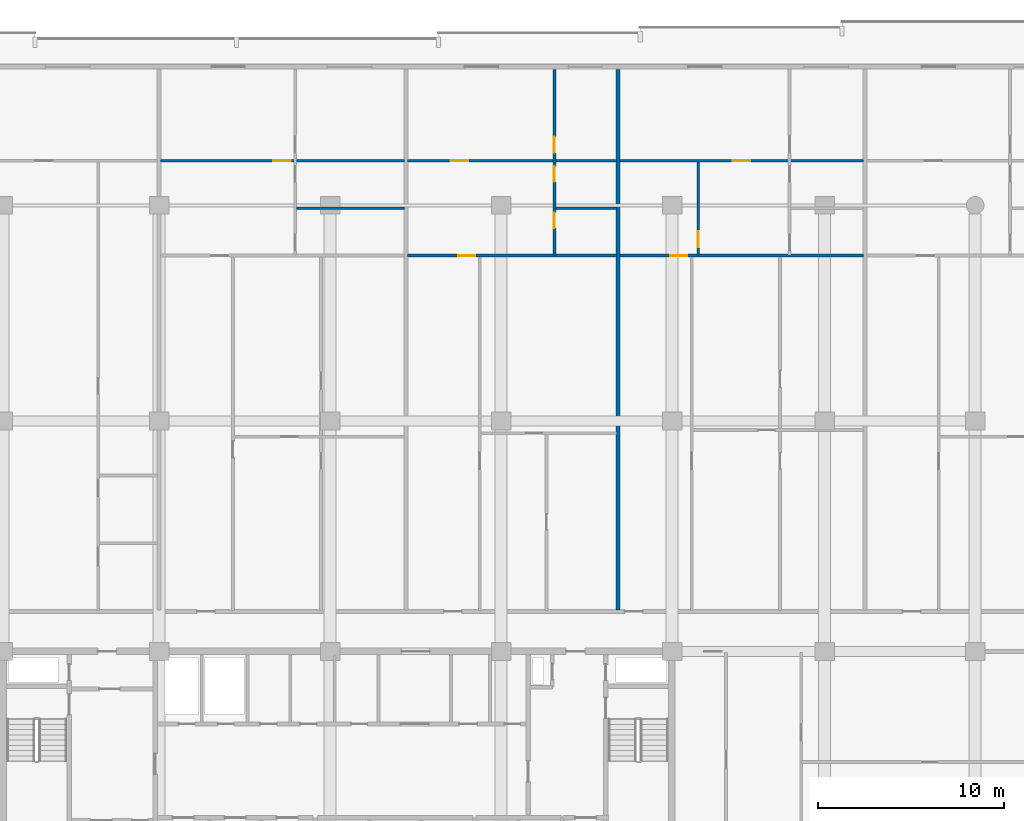
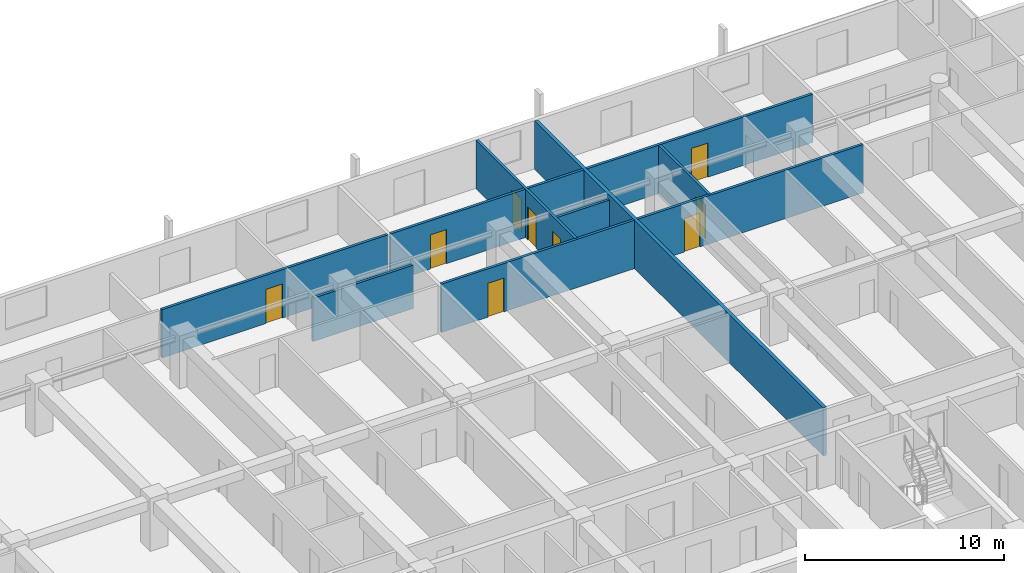
# One storey, part 15 of 23: 10 walls, 9 doors, 9 openings.
"""IFC4 building model written with IfcOpenShell, lengths in metres."""

from ifc_helpers import new_model, si_unit, direction, frame, frame_2d, origin, place, context, subcontext, project, spatial, rectangle, extrude, material, layer, layer_set, type_object, element, fill, save


model = new_model("IFC4")

# Units and contexts
model_context = context("Model", 3, precision=1e-05, world=origin(), true_north=direction((0.0, 1.0)))
body_context = subcontext(model_context, "Body", "Model", "MODEL_VIEW")
ifc_project = project(units=[si_unit("LENGTHUNIT", "METRE"), si_unit("AREAUNIT", "SQUARE_METRE"), si_unit("VOLUMEUNIT", "CUBIC_METRE"), si_unit("PLANEANGLEUNIT", "RADIAN"), si_unit("MASSUNIT", "GRAM", prefix="KILO")], contexts=[model_context])

# Site, building, storey
site_placement = place(None, origin())
site = spatial("IfcSite", under=ifc_project, at=site_placement, CompositionType="ELEMENT")
building_placement = place(site_placement, origin())
building = spatial("IfcBuilding", under=site, at=building_placement, Name="Korimba Cascade Residences", CompositionType="ELEMENT")
storey_placement = place(building_placement, frame((0.0, 0.0, 40.25)))
storey = spatial("IfcBuildingStorey", under=building, at=storey_placement, Name="L10", CompositionType="ELEMENT", Elevation=40.25)

# Walls
ifc_material_1 = material(Name="Precast concrete C40/50", Category="concrete")
ifc_layer_1 = layer(ifc_material_1, 0.199951171875)
ifc_layer_set_1 = layer_set([ifc_layer_1], Name="Precast concrete C40/50")
wall_type_1 = type_object("IfcWallType", Name="WAL-IT-200", PredefinedType="PARTITIONING", material=ifc_layer_set_1)
wall_1_placement = place(storey_placement, frame((109.187255859375, 69.429931640625, 0.0), z_axis=(0.0, 0.0, 1.0), x_axis=(0.0, 1.0, 0.0)))
element("IfcWall", 1, at=wall_1_placement, inside=storey, type_object=wall_type_1, Name="L10 Partition Wall WAL-L10-T1-DEM-4", PredefinedType="PARTITIONING", context=body_context, shape_type="SweptSolid", body=[
    extrude(rectangle(XDim=29.070068359375, YDim=0.199951171875, at=frame_2d((14.53515625, 0.0))), origin(), (0.0, 0.0, 1.0), 2.969970703125),
])
ifc_material_2 = material(Name="Insulated Acoustic Stud Partition", Category="gypsum")
ifc_layer_2 = layer(ifc_material_2, 0.14990234375)
ifc_layer_set_2 = layer_set([ifc_layer_2], Name="Insulated Acoustic Stud Partition")
wall_type_2 = type_object("IfcWallType", Name="WAL-PART-150", PredefinedType="PARTITIONING", material=ifc_layer_set_2)
wall_2_placement = place(storey_placement, frame((91.8798828125, 91.0400390625, 0.0), z_axis=(0.0, 0.0, 1.0), x_axis=(1.0, 0.0, 0.0)))
element("IfcWall", 2, at=wall_2_placement, inside=storey, type_object=wall_type_2, Name="L10 Partition Wall WAL-L10-T1-U03-BLDIV", PredefinedType="PARTITIONING", context=body_context, shape_type="SweptSolid", body=[
    extrude(rectangle(XDim=5.822021484375, YDim=0.14990234375, at=frame_2d((2.9111328125, 0.0))), origin(), (0.0, 0.0, 1.0), 2.663330078125),
])

# Wall, opening, door
wall_3_placement = place(storey_placement, frame((84.579345703125, 93.60009765625, 0.0), z_axis=(0.0, 0.0, 1.0), x_axis=(1.0, 0.0, 0.0)))
wall_3 = element("IfcWall", 3, at=wall_3_placement, inside=storey, type_object=wall_type_2, Name="L10 Partition Wall WAL-L10-T1-U03-HZ", PredefinedType="PARTITIONING", context=body_context, shape_type="SweptSolid", body=[
    extrude(rectangle(XDim=13.12255859375, YDim=0.14990234375, at=frame_2d((6.561279296875, 0.0))), origin(), (0.0, 0.0, 1.0), 2.969970703125),
])
opening_1_placement = place(wall_3_placement, frame((6.050537109375, 0.0, 0.0)))
opening_1 = element("IfcOpeningElement", 4, at=opening_1_placement, cuts=wall_3, Name="Opening D-IN0", PredefinedType="OPENING", context=body_context, shape_type="SweptSolid", body=[
    extrude(rectangle(XDim=0.93994140625, YDim=2.10009765625, at=frame_2d((0.469970703125, 1.050048828125))), frame((0.0, 0.0849609375, 0.0), z_axis=(0.0, -1.0, 0.0), x_axis=(1.0, 0.0, 0.0)), (0.0, 0.0, 1.0), 0.169921875),
])
ifc_material_3 = material(Name="Acoustic Timber Living Archway Door", Category="wood")
door_type_1 = type_object("IfcDoorType", Name="DR-INT-950", OperationType="NOTDEFINED", PredefinedType="DOOR", material=ifc_material_3)
door_1_placement = place(opening_1_placement, origin())
door_1 = element("IfcDoor", 5, at=door_1_placement, inside=storey, type_object=door_type_1, Name="L10-T1-U03 Living Archway Door", OperationType="SINGLE_SWING_RIGHT", OverallHeight=2.10009765625, OverallWidth=0.93994140625, PredefinedType="DOOR", context=body_context, shape_type="SweptSolid", body=[
    extrude(rectangle(XDim=0.93994140625, YDim=2.10009765625, at=frame_2d((0.469970703125, 1.050048828125))), frame((0.0, 0.02490234375, 0.0), z_axis=(0.0, -1.0, 0.0), x_axis=(1.0, 0.0, 0.0)), (0.0, 0.0, 1.0), 0.050048828125),
])
fill(opening_1, door_1)

# Wall
wall_4_placement = place(storey_placement, frame((105.8271484375, 91.0400390625, 0.0), z_axis=(0.0, 0.0, 1.0), x_axis=(1.0, 0.0, 0.0)))
element("IfcWall", 6, at=wall_4_placement, inside=storey, type_object=wall_type_2, Name="L10 Partition Wall WAL-L10-T1-U04-BLDIV", PredefinedType="PARTITIONING", context=body_context, shape_type="SweptSolid", body=[
    extrude(rectangle(XDim=3.280029296875, YDim=0.14990234375, at=frame_2d((1.64013671875, 0.0))), origin(), (0.0, 0.0, 1.0), 2.663330078125),
])

# Wall, openings, doors
wall_5_placement = place(storey_placement, frame((105.76708984375, 88.5400390625, 0.0), z_axis=(0.0, 0.0, 1.0), x_axis=(0.0, 1.0, 0.0)))
wall_5 = element("IfcWall", 7, at=wall_5_placement, inside=storey, type_object=wall_type_2, Name="L10 Partition Wall WAL-L10-T1-U04-V1", PredefinedType="PARTITIONING", context=body_context, shape_type="SweptSolid", body=[
    extrude(rectangle(XDim=9.9599609375, YDim=0.14990234375, at=frame_2d((4.97998046875, 0.0))), origin(), (0.0, 0.0, 1.0), 2.969970703125),
])
opening_2_placement = place(wall_5_placement, frame((1.430419921875, 0.0, 0.0)))
opening_2 = element("IfcOpeningElement", 8, at=opening_2_placement, cuts=wall_5, Name="Opening D-BT1", PredefinedType="OPENING", context=body_context, shape_type="SweptSolid", body=[
    extrude(rectangle(XDim=0.840087890625, YDim=2.0400390625, at=frame_2d((0.419921875, 1.02001953125))), frame((0.0, 0.0849609375, 0.0), z_axis=(0.0, -1.0, 0.0), x_axis=(1.0, 0.0, 0.0)), (0.0, 0.0, 1.0), 0.169921875),
])
opening_3_placement = place(wall_5_placement, frame((3.919921875, 0.0, 0.0)))
opening_3 = element("IfcOpeningElement", 9, at=opening_3_placement, cuts=wall_5, Name="Opening D-BT1", PredefinedType="OPENING", context=body_context, shape_type="SweptSolid", body=[
    extrude(rectangle(XDim=0.840087890625, YDim=2.0400390625, at=frame_2d((0.419921875, 1.02001953125))), frame((0.0, 0.0849609375, 0.0), z_axis=(0.0, -1.0, 0.0), x_axis=(1.0, 0.0, 0.0)), (0.0, 0.0, 1.0), 0.169921875),
])
opening_4_placement = place(wall_5_placement, frame((5.47998046875, 0.0, 0.0)))
opening_4 = element("IfcOpeningElement", 10, at=opening_4_placement, cuts=wall_5, Name="Opening D-IN2", PredefinedType="OPENING", context=body_context, shape_type="SweptSolid", body=[
    extrude(rectangle(XDim=0.8798828125, YDim=2.06005859375, at=frame_2d((0.43994140625, 1.030029296875))), frame((0.0, 0.0849609375, 0.0), z_axis=(0.0, -1.0, 0.0), x_axis=(1.0, 0.0, 0.0)), (0.0, 0.0, 1.0), 0.169921875),
])
ifc_material_4 = material(Name="Moisture-Resistant Bathroom Timber Door", Category="wood")
door_type_2 = type_object("IfcDoorType", Name="DR-INT-850", OperationType="NOTDEFINED", PredefinedType="DOOR", material=ifc_material_4)
door_2_placement = place(opening_2_placement, origin())
door_2 = element("IfcDoor", 11, at=door_2_placement, inside=storey, type_object=door_type_2, Name="L10-T1-U04 Bathroom Door", OperationType="SINGLE_SWING_RIGHT", OverallHeight=2.0400390625, OverallWidth=0.840087890625, PredefinedType="DOOR", context=body_context, shape_type="SweptSolid", body=[
    extrude(rectangle(XDim=0.840087890625, YDim=2.0400390625, at=frame_2d((0.419921875, 1.02001953125))), frame((0.0, 0.02490234375, 0.0), z_axis=(0.0, -1.0, 0.0), x_axis=(1.0, 0.0, 0.0)), (0.0, 0.0, 1.0), 0.050048828125),
])
fill(opening_2, door_2)
door_3_placement = place(opening_3_placement, origin())
door_3 = element("IfcDoor", 12, at=door_3_placement, inside=storey, type_object=door_type_2, Name="L10-T1-U04 Laundry Door", OperationType="SINGLE_SWING_LEFT", OverallHeight=2.0400390625, OverallWidth=0.840087890625, PredefinedType="DOOR", context=body_context, shape_type="SweptSolid", body=[
    extrude(rectangle(XDim=0.840087890625, YDim=2.0400390625, at=frame_2d((0.419921875, 1.02001953125))), frame((0.0, 0.02490234375, 0.0), z_axis=(0.0, -1.0, 0.0), x_axis=(1.0, 0.0, 0.0)), (0.0, 0.0, 1.0), 0.050048828125),
])
fill(opening_3, door_3)
ifc_material_5 = material(Name="Acoustic Timber Bedroom Door", Category="wood")
door_type_3 = type_object("IfcDoorType", Name="DR-INT-880", OperationType="NOTDEFINED", PredefinedType="DOOR", material=ifc_material_5)
door_4_placement = place(opening_4_placement, origin())
door_4 = element("IfcDoor", 13, at=door_4_placement, inside=storey, type_object=door_type_3, Name="L10-T1-U04 Bedroom 1 Door", OperationType="SINGLE_SWING_RIGHT", OverallHeight=2.06005859375, OverallWidth=0.8798828125, PredefinedType="DOOR", context=body_context, shape_type="SweptSolid", body=[
    extrude(rectangle(XDim=0.8798828125, YDim=2.06005859375, at=frame_2d((0.43994140625, 1.030029296875))), frame((0.0, 0.02490234375, 0.0), z_axis=(0.0, -1.0, 0.0), x_axis=(1.0, 0.0, 0.0)), (0.0, 0.0, 1.0), 0.050048828125),
])
fill(opening_4, door_4)

# Wall, opening, door
wall_6_placement = place(storey_placement, frame((97.862060546875, 88.5, 0.0), z_axis=(0.0, 0.0, 1.0), x_axis=(1.0, 0.0, 0.0)))
wall_6 = element("IfcWall", 14, at=wall_6_placement, inside=storey, type_object=wall_type_2, Name="L10 Partition Wall WAL-L10-T1-U04-MW", PredefinedType="PARTITIONING", context=body_context, shape_type="SweptSolid", body=[
    extrude(rectangle(XDim=11.2451171875, YDim=0.14990234375, at=frame_2d((5.62255859375, 0.0))), origin(), (0.0, 0.0, 1.0), 2.969970703125),
])
opening_5_placement = place(wall_6_placement, frame((2.719970703125, 0.0, 0.0)))
opening_5 = element("IfcOpeningElement", 15, at=opening_5_placement, cuts=wall_6, Name="Opening D-IN1", PredefinedType="OPENING", context=body_context, shape_type="SweptSolid", body=[
    extrude(rectangle(XDim=0.919921875, YDim=2.080078125, at=frame_2d((0.4599609375, 1.0400390625))), frame((0.0, 0.0849609375, 0.0), z_axis=(0.0, -1.0, 0.0), x_axis=(1.0, 0.0, 0.0)), (0.0, 0.0, 1.0), 0.169921875),
])
ifc_material_6 = material(Name="Acoustic Timber Living Door", Category="wood")
door_type_4 = type_object("IfcDoorType", Name="DR-INT-920", OperationType="NOTDEFINED", PredefinedType="DOOR", material=ifc_material_6)
door_5_placement = place(opening_5_placement, origin())
door_5 = element("IfcDoor", 16, at=door_5_placement, inside=storey, type_object=door_type_4, Name="L10-T1-U04 Kitchen Archway Door", OperationType="SINGLE_SWING_LEFT", OverallHeight=2.080078125, OverallWidth=0.919921875, PredefinedType="DOOR", context=body_context, shape_type="SweptSolid", body=[
    extrude(rectangle(XDim=0.919921875, YDim=2.080078125, at=frame_2d((0.4599609375, 1.0400390625))), frame((0.0, 0.02490234375, 0.0), z_axis=(0.0, -1.0, 0.0), x_axis=(1.0, 0.0, 0.0)), (0.0, 0.0, 1.0), 0.050048828125),
])
fill(opening_5, door_5)

wall_7_placement = place(storey_placement, frame((97.862060546875, 93.60009765625, 0.0), z_axis=(0.0, 0.0, 1.0), x_axis=(1.0, 0.0, 0.0)))
wall_7 = element("IfcWall", 17, at=wall_7_placement, inside=storey, type_object=wall_type_2, Name="L10 Partition Wall WAL-L10-T1-U04-HZ", PredefinedType="PARTITIONING", context=body_context, shape_type="SweptSolid", body=[
    extrude(rectangle(XDim=11.2451171875, YDim=0.14990234375, at=frame_2d((5.62255859375, 0.0))), origin(), (0.0, 0.0, 1.0), 2.969970703125),
])
opening_6_placement = place(wall_7_placement, frame((2.31884765625, 0.0, 0.0)))
opening_6 = element("IfcOpeningElement", 18, at=opening_6_placement, cuts=wall_7, Name="Opening D-IN0", PredefinedType="OPENING", context=body_context, shape_type="SweptSolid", body=[
    extrude(rectangle(XDim=0.93994140625, YDim=2.10009765625, at=frame_2d((0.469970703125, 1.050048828125))), frame((0.0, 0.0849609375, 0.0), z_axis=(0.0, -1.0, 0.0), x_axis=(1.0, 0.0, 0.0)), (0.0, 0.0, 1.0), 0.169921875),
])
door_6_placement = place(opening_6_placement, origin())
door_6 = element("IfcDoor", 19, at=door_6_placement, inside=storey, type_object=door_type_1, Name="L10-T1-U04 Living Archway Door", OperationType="SINGLE_SWING_RIGHT", OverallHeight=2.10009765625, OverallWidth=0.93994140625, PredefinedType="DOOR", context=body_context, shape_type="SweptSolid", body=[
    extrude(rectangle(XDim=0.93994140625, YDim=2.10009765625, at=frame_2d((0.469970703125, 1.050048828125))), frame((0.0, 0.02490234375, 0.0), z_axis=(0.0, -1.0, 0.0), x_axis=(1.0, 0.0, 0.0)), (0.0, 0.0, 1.0), 0.050048828125),
])
fill(opening_6, door_6)

wall_8_placement = place(storey_placement, frame((113.507080078125, 88.5400390625, 0.0), z_axis=(0.0, 0.0, 1.0), x_axis=(0.0, 1.0, 0.0)))
wall_8 = element("IfcWall", 20, at=wall_8_placement, inside=storey, type_object=wall_type_2, Name="L10 Partition Wall WAL-L10-T1-U05-VDIN", PredefinedType="PARTITIONING", context=body_context, shape_type="SweptSolid", body=[
    extrude(rectangle(XDim=5.0, YDim=0.14990234375, at=frame_2d((2.5, 0.0))), origin(), (0.0, 0.0, 1.0), 2.969970703125),
])
opening_7_placement = place(wall_8_placement, frame((0.39990234375, 0.0, 0.0)))
opening_7 = element("IfcOpeningElement", 21, at=opening_7_placement, cuts=wall_8, Name="Opening D-IN2", PredefinedType="OPENING", context=body_context, shape_type="SweptSolid", body=[
    extrude(rectangle(XDim=0.8798828125, YDim=2.06005859375, at=frame_2d((0.43994140625, 1.030029296875))), frame((0.0, 0.0849609375, 0.0), z_axis=(0.0, -1.0, 0.0), x_axis=(1.0, 0.0, 0.0)), (0.0, 0.0, 1.0), 0.169921875),
])
door_7_placement = place(opening_7_placement, origin())
door_7 = element("IfcDoor", 22, at=door_7_placement, inside=storey, type_object=door_type_3, Name="L10-T1-U05 Dining Room Door", OperationType="SINGLE_SWING_LEFT", OverallHeight=2.06005859375, OverallWidth=0.8798828125, PredefinedType="DOOR", context=body_context, shape_type="SweptSolid", body=[
    extrude(rectangle(XDim=0.8798828125, YDim=2.06005859375, at=frame_2d((0.43994140625, 1.030029296875))), frame((0.0, 0.02490234375, 0.0), z_axis=(0.0, -1.0, 0.0), x_axis=(1.0, 0.0, 0.0)), (0.0, 0.0, 1.0), 0.050048828125),
])
fill(opening_7, door_7)

wall_9_placement = place(storey_placement, frame((109.26708984375, 88.5, 0.0), z_axis=(0.0, 0.0, 1.0), x_axis=(1.0, 0.0, 0.0)))
wall_9 = element("IfcWall", 23, at=wall_9_placement, inside=storey, type_object=wall_type_2, Name="L10 Partition Wall WAL-L10-T1-U05-MW", PredefinedType="PARTITIONING", context=body_context, shape_type="SweptSolid", body=[
    extrude(rectangle(XDim=13.122802734375, YDim=0.14990234375, at=frame_2d((6.5615234375, 0.0))), origin(), (0.0, 0.0, 1.0), 2.969970703125),
])
opening_8_placement = place(wall_9_placement, frame((2.719970703125, 0.0, 0.0)))
opening_8 = element("IfcOpeningElement", 24, at=opening_8_placement, cuts=wall_9, Name="Opening D-IN1", PredefinedType="OPENING", context=body_context, shape_type="SweptSolid", body=[
    extrude(rectangle(XDim=0.919921875, YDim=2.080078125, at=frame_2d((0.4599609375, 1.0400390625))), frame((0.0, 0.0849609375, 0.0), z_axis=(0.0, -1.0, 0.0), x_axis=(1.0, 0.0, 0.0)), (0.0, 0.0, 1.0), 0.169921875),
])
door_8_placement = place(opening_8_placement, origin())
door_8 = element("IfcDoor", 25, at=door_8_placement, inside=storey, type_object=door_type_4, Name="L10-T1-U05 Kitchen Archway Door", OperationType="SINGLE_SWING_LEFT", OverallHeight=2.080078125, OverallWidth=0.919921875, PredefinedType="DOOR", context=body_context, shape_type="SweptSolid", body=[
    extrude(rectangle(XDim=0.919921875, YDim=2.080078125, at=frame_2d((0.4599609375, 1.0400390625))), frame((0.0, 0.02490234375, 0.0), z_axis=(0.0, -1.0, 0.0), x_axis=(1.0, 0.0, 0.0)), (0.0, 0.0, 1.0), 0.050048828125),
])
fill(opening_8, door_8)

wall_10_placement = place(storey_placement, frame((109.26708984375, 93.60009765625, 0.0), z_axis=(0.0, 0.0, 1.0), x_axis=(1.0, 0.0, 0.0)))
wall_10 = element("IfcWall", 26, at=wall_10_placement, inside=storey, type_object=wall_type_2, Name="L10 Partition Wall WAL-L10-T1-U05-HZ", PredefinedType="PARTITIONING", context=body_context, shape_type="SweptSolid", body=[
    extrude(rectangle(XDim=13.122802734375, YDim=0.14990234375, at=frame_2d((6.5615234375, 0.0))), origin(), (0.0, 0.0, 1.0), 2.969970703125),
])
opening_9_placement = place(wall_10_placement, frame((6.09130859375, 0.0, 0.0)))
opening_9 = element("IfcOpeningElement", 27, at=opening_9_placement, cuts=wall_10, Name="Opening D-IN0", PredefinedType="OPENING", context=body_context, shape_type="SweptSolid", body=[
    extrude(rectangle(XDim=0.93994140625, YDim=2.10009765625, at=frame_2d((0.469970703125, 1.050048828125))), frame((0.0, 0.0849609375, 0.0), z_axis=(0.0, -1.0, 0.0), x_axis=(1.0, 0.0, 0.0)), (0.0, 0.0, 1.0), 0.169921875),
])
door_9_placement = place(opening_9_placement, origin())
door_9 = element("IfcDoor", 28, at=door_9_placement, inside=storey, type_object=door_type_1, Name="L10-T1-U05 Living Archway Door", OperationType="SINGLE_SWING_RIGHT", OverallHeight=2.10009765625, OverallWidth=0.93994140625, PredefinedType="DOOR", context=body_context, shape_type="SweptSolid", body=[
    extrude(rectangle(XDim=0.93994140625, YDim=2.10009765625, at=frame_2d((0.469970703125, 1.050048828125))), frame((0.0, 0.02490234375, 0.0), z_axis=(0.0, -1.0, 0.0), x_axis=(1.0, 0.0, 0.0)), (0.0, 0.0, 1.0), 0.050048828125),
])
fill(opening_9, door_9)

save(model, "model.ifc")
